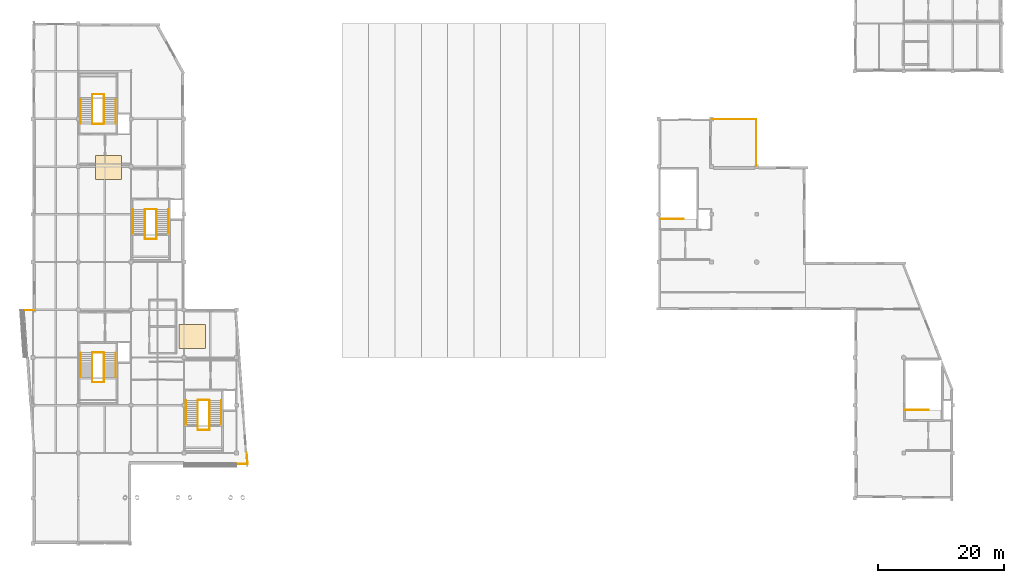
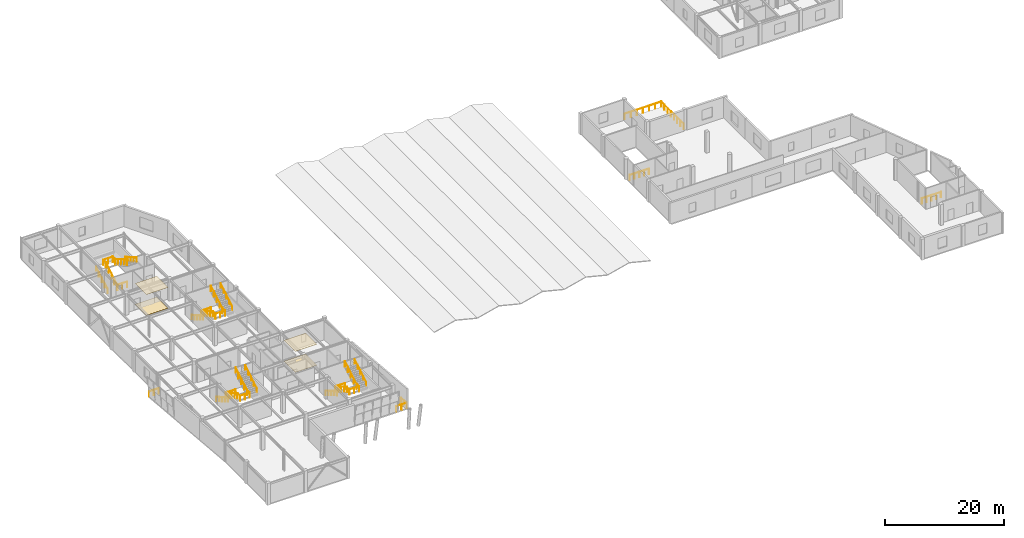
# One storey, part 27 of 28: 22 railings, 4 coverings.
"""IFC4 building model written with IfcOpenShell, lengths in metres."""

from ifc_helpers import new_model, si_unit, direction, frame, origin, origin_2d, place, context, subcontext, project, spatial, rectangle, circle, extrude, material, layer, layer_set, type_object, element, save


model = new_model("IFC4")

# Units and contexts
model_context = context("Model", 3, precision=1e-05, world=origin(), true_north=direction((0.0, 1.0)))
body_context = subcontext(model_context, "Body", "Model", "MODEL_VIEW")
ifc_project = project(units=[si_unit("LENGTHUNIT", "METRE"), si_unit("AREAUNIT", "SQUARE_METRE"), si_unit("VOLUMEUNIT", "CUBIC_METRE"), si_unit("PLANEANGLEUNIT", "RADIAN"), si_unit("MASSUNIT", "GRAM", prefix="KILO")], contexts=[model_context])

# Site, building, storey
site_placement = place(None, origin())
site = spatial("IfcSite", under=ifc_project, at=site_placement, CompositionType="ELEMENT")
building_placement = place(site_placement, origin())
building = spatial("IfcBuilding", under=site, at=building_placement, Name="Xicomal Pleat Aquarium", CompositionType="ELEMENT")
storey_placement = place(building_placement, frame((0.0, 0.0, 15.300048828125)))
storey = spatial("IfcBuildingStorey", under=building, at=storey_placement, Name="L04", CompositionType="ELEMENT", Elevation=15.300048828125)

# Coverings
ifc_material_1 = material(Name="Acoustic mineral-fibre suspended ceiling", Category="gypsum")
ifc_layer_1 = layer(ifc_material_1, 0.02490234375)
ifc_layer_set_1 = layer_set([ifc_layer_1], Name="Acoustic mineral-fibre suspended ceiling")
covering_type_1 = type_object("IfcCoveringType", Name="COV-CEIL-25", PredefinedType="CEILING", material=ifc_layer_set_1)
for number, where, z_axis, x_axis, name in (
    (1, (28.31005859375, 33.760009765625, 4.265380859375), (0.0, 0.0, 1.0), (1.0, 0.0, 0.0), "L04 acoustic ceiling 2"),
    (2, (15.0, 60.64990234375, 4.265380859375), (0.0, 0.0, 1.0), (1.0, 0.0, 0.0), "L04 acoustic ceiling 3"),
):
    element("IfcCovering", number, at=place(storey_placement, frame(where, z_axis=z_axis, x_axis=x_axis)), inside=storey, type_object=covering_type_1, Name=name, PredefinedType="CEILING", context=body_context, shape_type="SweptSolid", body=[
        extrude(rectangle(XDim=4.199951171875, YDim=3.800048828125, at=origin_2d()), origin(), (0.0, 0.0, 1.0), 0.02490234375),
    ])
ifc_material_2 = material(Name="Seamless marine terrazzo and epoxy flooring", Category="concrete")
ifc_layer_2 = layer(ifc_material_2, 0.02001953125)
ifc_layer_set_2 = layer_set([ifc_layer_2], Name="Seamless marine terrazzo and epoxy flooring")
covering_type_2 = type_object("IfcCoveringType", Name="COV-FLR-20", PredefinedType="FLOORING", material=ifc_layer_set_2)
for number, where, z_axis, x_axis, name in (
    (3, (28.31005859375, 33.760009765625, -0.0009765625), (0.0, 0.0, 1.0), (1.0, 0.0, 0.0), "L04 marine terrazzo flooring 2"),
    (4, (15.0, 60.64990234375, -0.0009765625), (0.0, 0.0, 1.0), (1.0, 0.0, 0.0), "L04 marine terrazzo flooring 3"),
):
    element("IfcCovering", number, at=place(storey_placement, frame(where, z_axis=z_axis, x_axis=x_axis)), inside=storey, type_object=covering_type_2, Name=name, PredefinedType="FLOORING", context=body_context, shape_type="SweptSolid", body=[
        extrude(rectangle(XDim=4.199951171875, YDim=3.800048828125, at=origin_2d()), origin(), (0.0, 0.0, 1.0), 0.02001953125),
    ])

# Railings
ifc_material_3 = material(Name="Stainless steel 316L and laminated safety glass", Category="steel")
railing_type_1 = type_object("IfcRailingType", Name="RAL-GRD-1120", PredefinedType="GUARDRAIL", material=ifc_material_3)
railing_1_placement = place(storey_placement, frame((118.139892578125, 68.340087890625, 0.0)))
element("IfcRailing", 5, at=railing_1_placement, inside=storey, type_object=railing_type_1, Name="L04 terrace perimeter guard 9", PredefinedType="GUARDRAIL", context=body_context, shape_type="SweptSolid", body=[
    extrude(circle(Radius=0.02392578125, at=origin_2d()), frame((0.0, 0.0, 1.09619140625), z_axis=(0.0, -1.0, 0.0), x_axis=(1.0, 0.0, 0.0)), (0.0, 0.0, 1.0), 7.47998046875),
    extrude(circle(Radius=0.02099609375, at=origin_2d()), origin(), (0.0, 0.0, 1.0), 1.072021484375),
    extrude(circle(Radius=0.02099609375, at=origin_2d()), frame((0.0, -1.068603515625, 0.0)), (0.0, 0.0, 1.0), 1.072021484375),
    extrude(circle(Radius=0.02099609375, at=origin_2d()), frame((0.0, -2.13720703125, 0.0)), (0.0, 0.0, 1.0), 1.072021484375),
    extrude(circle(Radius=0.02099609375, at=origin_2d()), frame((0.0, -3.205810546875, 0.0)), (0.0, 0.0, 1.0), 1.072021484375),
    extrude(circle(Radius=0.02099609375, at=origin_2d()), frame((0.0, -4.274169921875, 0.0)), (0.0, 0.0, 1.0), 1.072021484375),
    extrude(circle(Radius=0.02099609375, at=origin_2d()), frame((0.0, -5.3427734375, 0.0)), (0.0, 0.0, 1.0), 1.072021484375),
    extrude(circle(Radius=0.02099609375, at=origin_2d()), frame((0.0, -6.411376953125, 0.0)), (0.0, 0.0, 1.0), 1.072021484375),
    extrude(circle(Radius=0.02099609375, at=origin_2d()), frame((0.0, -7.47998046875, 0.0)), (0.0, 0.0, 1.0), 1.072021484375),
])
ifc_material_4 = material(Name="Stainless steel 316L and laminated safety glass", Category="steel")
railing_type_2 = type_object("IfcRailingType", Name="RAL-GRD-1150", PredefinedType="GUARDRAIL", material=ifc_material_4)
railing_2_placement = place(storey_placement, frame((111.06005859375, 68.340087890625, 0.0)))
element("IfcRailing", 6, at=railing_2_placement, inside=storey, type_object=railing_type_2, Name="L04 terrace perimeter guard 8", PredefinedType="GUARDRAIL", context=body_context, shape_type="SweptSolid", body=[
    extrude(circle(Radius=0.02392578125, at=origin_2d()), frame((0.0, 0.0, 1.1259765625), z_axis=(1.0, 0.0, 0.0), x_axis=(0.0, 1.0, 0.0)), (0.0, 0.0, 1.0), 7.079833984375),
    extrude(circle(Radius=0.02099609375, at=origin_2d()), origin(), (0.0, 0.0, 1.0), 1.101806640625),
    extrude(circle(Radius=0.02099609375, at=origin_2d()), frame((1.179931640625, 0.0, 0.0)), (0.0, 0.0, 1.0), 1.101806640625),
    extrude(circle(Radius=0.02099609375, at=origin_2d()), frame((2.35986328125, 0.0, 0.0)), (0.0, 0.0, 1.0), 1.101806640625),
    extrude(circle(Radius=0.02099609375, at=origin_2d()), frame((3.5400390625, 0.0, 0.0)), (0.0, 0.0, 1.0), 1.101806640625),
    extrude(circle(Radius=0.02099609375, at=origin_2d()), frame((4.719970703125, 0.0, 0.0)), (0.0, 0.0, 1.0), 1.101806640625),
    extrude(circle(Radius=0.02099609375, at=origin_2d()), frame((5.89990234375, 0.0, 0.0)), (0.0, 0.0, 1.0), 1.101806640625),
    extrude(circle(Radius=0.02099609375, at=origin_2d()), frame((7.079833984375, 0.0, 0.0)), (0.0, 0.0, 1.0), 1.101806640625),
])
railing_3_placement = place(storey_placement, frame((1.419921875, 37.919921875, 0.0)))
element("IfcRailing", 7, at=railing_3_placement, inside=storey, type_object=railing_type_2, Name="L04 slab setback perimeter guard GR-EDG-L04-01", PredefinedType="GUARDRAIL", context=body_context, shape_type="SweptSolid", body=[
    extrude(circle(Radius=0.02392578125, at=origin_2d()), frame((0.0, 0.0, 1.1259765625), z_axis=(1.0, 0.0, 0.0), x_axis=(0.0, 1.0, 0.0)), (0.0, 0.0, 1.0), 1.830078125),
    extrude(circle(Radius=0.02099609375, at=origin_2d()), origin(), (0.0, 0.0, 1.0), 1.101806640625),
    extrude(circle(Radius=0.02099609375, at=origin_2d()), frame((0.9150390625, 0.0, 0.0)), (0.0, 0.0, 1.0), 1.101806640625),
    extrude(circle(Radius=0.02099609375, at=origin_2d()), frame((1.830078125, 0.0, 0.0)), (0.0, 0.0, 1.0), 1.101806640625),
])
railing_4_placement = place(storey_placement, frame((35.10009765625, 13.4599609375, 0.0)))
element("IfcRailing", 8, at=railing_4_placement, inside=storey, type_object=railing_type_2, Name="L04 slab setback perimeter guard GR-EDG-L04-02", PredefinedType="GUARDRAIL", context=body_context, shape_type="SweptSolid", body=[
    extrude(circle(Radius=0.02392578125, at=origin_2d()), frame((0.0, 0.0, 1.1259765625), z_axis=(1.0, 0.0, 0.0), x_axis=(0.0, 1.0, 0.0)), (0.0, 0.0, 1.0), 2.039794921875),
    extrude(circle(Radius=0.02392578125, at=origin_2d()), frame((2.039794921875, 0.0, 1.1259765625), z_axis=(-0.068730030882, 0.997635295514, 0.0), x_axis=(-0.997635295514, -0.068730030882, 0.0)), (0.0, 0.0, 1.0), 1.744140625),
    extrude(circle(Radius=0.02099609375, at=origin_2d()), origin(), (0.0, 0.0, 1.0), 1.101806640625),
    extrude(circle(Radius=0.02099609375, at=origin_2d()), frame((1.02001953125, 0.0, 0.0)), (0.0, 0.0, 1.0), 1.101806640625),
    extrude(circle(Radius=0.02099609375, at=origin_2d()), frame((2.039794921875, 0.0, 0.0)), (0.0, 0.0, 1.0), 1.101806640625),
    extrude(circle(Radius=0.02099609375, at=origin_2d()), frame((1.97998046875, 0.8701171875, 0.0)), (0.0, 0.0, 1.0), 1.101806640625),
    extrude(circle(Radius=0.02099609375, at=origin_2d()), frame((1.919921875, 1.739990234375, 0.0)), (0.0, 0.0, 1.0), 1.101806640625),
])
ifc_material_5 = material(Name="Brushed stainless steel 316L", Category="steel")
railing_type_3 = type_object("IfcRailingType", Name="RAL-HR-900", PredefinedType="HANDRAIL", material=ifc_material_5)
railing_5_placement = place(storey_placement, frame((10.52001953125, 31.179931640625, 0.0)))
element("IfcRailing", 9, at=railing_5_placement, inside=storey, type_object=railing_type_3, Name="ST-01-L04 flight 1 handrail", PredefinedType="HANDRAIL", context=body_context, shape_type="SweptSolid", body=[
    extrude(circle(Radius=0.02392578125, at=origin_2d()), frame((0.0, 0.0, 0.8759765625), z_axis=(0.0, -0.86416876981, 0.503202083943), x_axis=(1.0, 0.0, 0.0)), (0.0, 0.0, 1.0), 4.471435546875),
    extrude(circle(Radius=0.02099609375, at=origin_2d()), origin(), (0.0, 0.0, 1.0), 0.851806640625),
    extrude(circle(Radius=0.02099609375, at=origin_2d()), frame((0.0, -0.966064453125, 0.5625)), (0.0, 0.0, 1.0), 0.851806640625),
    extrude(circle(Radius=0.02099609375, at=origin_2d()), frame((0.0, -1.93212890625, 1.125)), (0.0, 0.0, 1.0), 0.851806640625),
    extrude(circle(Radius=0.02099609375, at=origin_2d()), frame((0.0, -2.89794921875, 1.6875)), (0.0, 0.0, 1.0), 0.851806640625),
    extrude(circle(Radius=0.02099609375, at=origin_2d()), frame((0.0, -3.864013671875, 2.25)), (0.0, 0.0, 1.0), 0.851806640625),
])
railing_6_placement = place(storey_placement, frame((16.139892578125, 27.31591796875, 2.25)))
element("IfcRailing", 10, at=railing_6_placement, inside=storey, type_object=railing_type_3, Name="ST-01-L04 flight 2 handrail", PredefinedType="HANDRAIL", context=body_context, shape_type="SweptSolid", body=[
    extrude(circle(Radius=0.02392578125, at=origin_2d()), frame((0.0, 0.0, 0.8759765625), z_axis=(0.0, 0.86416876981, 0.503202083943), x_axis=(-1.0, 0.0, 0.0)), (0.0, 0.0, 1.0), 4.471435546875),
    extrude(circle(Radius=0.02099609375, at=origin_2d()), origin(), (0.0, 0.0, 1.0), 0.851806640625),
    extrude(circle(Radius=0.02099609375, at=origin_2d()), frame((0.0, 0.966064453125, 0.5625)), (0.0, 0.0, 1.0), 0.851806640625),
    extrude(circle(Radius=0.02099609375, at=origin_2d()), frame((0.0, 1.93212890625, 1.125)), (0.0, 0.0, 1.0), 0.851806640625),
    extrude(circle(Radius=0.02099609375, at=origin_2d()), frame((0.0, 2.89794921875, 1.6875)), (0.0, 0.0, 1.0), 0.851806640625),
    extrude(circle(Radius=0.02099609375, at=origin_2d()), frame((0.0, 3.864013671875, 2.25)), (0.0, 0.0, 1.0), 0.851806640625),
])
railing_7_placement = place(storey_placement, frame((27.320068359375, 23.580078125, 0.0)))
element("IfcRailing", 11, at=railing_7_placement, inside=storey, type_object=railing_type_3, Name="ST-02-L04 flight 1 handrail", PredefinedType="HANDRAIL", context=body_context, shape_type="SweptSolid", body=[
    extrude(circle(Radius=0.02392578125, at=origin_2d()), frame((0.0, 0.0, 0.8759765625), z_axis=(0.0, -0.86416876981, 0.503202083943), x_axis=(1.0, 0.0, 0.0)), (0.0, 0.0, 1.0), 4.471435546875),
    extrude(circle(Radius=0.02099609375, at=origin_2d()), origin(), (0.0, 0.0, 1.0), 0.851806640625),
    extrude(circle(Radius=0.02099609375, at=origin_2d()), frame((0.0, -0.966064453125, 0.5625)), (0.0, 0.0, 1.0), 0.851806640625),
    extrude(circle(Radius=0.02099609375, at=origin_2d()), frame((0.0, -1.93212890625, 1.125)), (0.0, 0.0, 1.0), 0.851806640625),
    extrude(circle(Radius=0.02099609375, at=origin_2d()), frame((0.0, -2.89794921875, 1.6875)), (0.0, 0.0, 1.0), 0.851806640625),
    extrude(circle(Radius=0.02099609375, at=origin_2d()), frame((0.0, -3.864013671875, 2.25)), (0.0, 0.0, 1.0), 0.851806640625),
])
railing_8_placement = place(storey_placement, frame((32.93994140625, 19.716064453125, 2.25)))
element("IfcRailing", 12, at=railing_8_placement, inside=storey, type_object=railing_type_3, Name="ST-02-L04 flight 2 handrail", PredefinedType="HANDRAIL", context=body_context, shape_type="SweptSolid", body=[
    extrude(circle(Radius=0.02392578125, at=origin_2d()), frame((0.0, 0.0, 0.8759765625), z_axis=(0.0, 0.86416876981, 0.503202083943), x_axis=(-1.0, 0.0, 0.0)), (0.0, 0.0, 1.0), 4.471435546875),
    extrude(circle(Radius=0.02099609375, at=origin_2d()), origin(), (0.0, 0.0, 1.0), 0.851806640625),
    extrude(circle(Radius=0.02099609375, at=origin_2d()), frame((0.0, 0.966064453125, 0.5625)), (0.0, 0.0, 1.0), 0.851806640625),
    extrude(circle(Radius=0.02099609375, at=origin_2d()), frame((0.0, 1.93212890625, 1.125)), (0.0, 0.0, 1.0), 0.851806640625),
    extrude(circle(Radius=0.02099609375, at=origin_2d()), frame((0.0, 2.89794921875, 1.6875)), (0.0, 0.0, 1.0), 0.851806640625),
    extrude(circle(Radius=0.02099609375, at=origin_2d()), frame((0.0, 3.864013671875, 2.25)), (0.0, 0.0, 1.0), 0.851806640625),
])
railing_9_placement = place(storey_placement, frame((10.52001953125, 67.6201171875, 0.0)))
element("IfcRailing", 13, at=railing_9_placement, inside=storey, type_object=railing_type_3, Name="ST-03-L04 flight 1 handrail", PredefinedType="HANDRAIL", context=body_context, shape_type="SweptSolid", body=[
    extrude(circle(Radius=0.02392578125, at=origin_2d()), frame((0.0, 0.0, 0.8759765625), z_axis=(0.0, 0.864154943205, 0.503225828167), x_axis=(-1.0, 0.0, 0.0)), (0.0, 0.0, 1.0), 4.47119140625),
    extrude(circle(Radius=0.02099609375, at=origin_2d()), origin(), (0.0, 0.0, 1.0), 0.851806640625),
    extrude(circle(Radius=0.02099609375, at=origin_2d()), frame((0.0, 0.9658203125, 0.5625)), (0.0, 0.0, 1.0), 0.851806640625),
    extrude(circle(Radius=0.02099609375, at=origin_2d()), frame((0.0, 1.931884765625, 1.125)), (0.0, 0.0, 1.0), 0.851806640625),
    extrude(circle(Radius=0.02099609375, at=origin_2d()), frame((0.0, 2.89794921875, 1.6875)), (0.0, 0.0, 1.0), 0.851806640625),
    extrude(circle(Radius=0.02099609375, at=origin_2d()), frame((0.0, 3.86376953125, 2.25)), (0.0, 0.0, 1.0), 0.851806640625),
])
railing_10_placement = place(storey_placement, frame((16.139892578125, 71.48388671875, 2.25)))
element("IfcRailing", 14, at=railing_10_placement, inside=storey, type_object=railing_type_3, Name="ST-03-L04 flight 2 handrail", PredefinedType="HANDRAIL", context=body_context, shape_type="SweptSolid", body=[
    extrude(circle(Radius=0.02392578125, at=origin_2d()), frame((0.0, 0.0, 0.8759765625), z_axis=(0.0, -0.864154943205, 0.503225828167), x_axis=(1.0, 0.0, 0.0)), (0.0, 0.0, 1.0), 4.47119140625),
    extrude(circle(Radius=0.02099609375, at=origin_2d()), origin(), (0.0, 0.0, 1.0), 0.851806640625),
    extrude(circle(Radius=0.02099609375, at=origin_2d()), frame((0.0, -0.9658203125, 0.5625)), (0.0, 0.0, 1.0), 0.851806640625),
    extrude(circle(Radius=0.02099609375, at=origin_2d()), frame((0.0, -1.931884765625, 1.125)), (0.0, 0.0, 1.0), 0.851806640625),
    extrude(circle(Radius=0.02099609375, at=origin_2d()), frame((0.0, -2.89794921875, 1.6875)), (0.0, 0.0, 1.0), 0.851806640625),
    extrude(circle(Radius=0.02099609375, at=origin_2d()), frame((0.0, -3.86376953125, 2.25)), (0.0, 0.0, 1.0), 0.851806640625),
])
railing_11_placement = place(storey_placement, frame((18.919921875, 53.97998046875, 0.0)))
element("IfcRailing", 15, at=railing_11_placement, inside=storey, type_object=railing_type_3, Name="ST-04-L04 flight 1 handrail", PredefinedType="HANDRAIL", context=body_context, shape_type="SweptSolid", body=[
    extrude(circle(Radius=0.02392578125, at=origin_2d()), frame((0.0, 0.0, 0.8759765625), z_axis=(0.0, -0.86416876981, 0.503202083943), x_axis=(1.0, 0.0, 0.0)), (0.0, 0.0, 1.0), 4.471435546875),
    extrude(circle(Radius=0.02099609375, at=origin_2d()), origin(), (0.0, 0.0, 1.0), 0.851806640625),
    extrude(circle(Radius=0.02099609375, at=origin_2d()), frame((0.0, -0.966064453125, 0.5625)), (0.0, 0.0, 1.0), 0.851806640625),
    extrude(circle(Radius=0.02099609375, at=origin_2d()), frame((0.0, -1.93212890625, 1.125)), (0.0, 0.0, 1.0), 0.851806640625),
    extrude(circle(Radius=0.02099609375, at=origin_2d()), frame((0.0, -2.89794921875, 1.6875)), (0.0, 0.0, 1.0), 0.851806640625),
    extrude(circle(Radius=0.02099609375, at=origin_2d()), frame((0.0, -3.864013671875, 2.25)), (0.0, 0.0, 1.0), 0.851806640625),
])
railing_12_placement = place(storey_placement, frame((24.5400390625, 50.115966796875, 2.25)))
element("IfcRailing", 16, at=railing_12_placement, inside=storey, type_object=railing_type_3, Name="ST-04-L04 flight 2 handrail", PredefinedType="HANDRAIL", context=body_context, shape_type="SweptSolid", body=[
    extrude(circle(Radius=0.02392578125, at=origin_2d()), frame((0.0, 0.0, 0.8759765625), z_axis=(0.0, 0.86416876981, 0.503202083943), x_axis=(-1.0, 0.0, 0.0)), (0.0, 0.0, 1.0), 4.471435546875),
    extrude(circle(Radius=0.02099609375, at=origin_2d()), origin(), (0.0, 0.0, 1.0), 0.851806640625),
    extrude(circle(Radius=0.02099609375, at=origin_2d()), frame((0.0, 0.966064453125, 0.5625)), (0.0, 0.0, 1.0), 0.851806640625),
    extrude(circle(Radius=0.02099609375, at=origin_2d()), frame((0.0, 1.93212890625, 1.125)), (0.0, 0.0, 1.0), 0.851806640625),
    extrude(circle(Radius=0.02099609375, at=origin_2d()), frame((0.0, 2.89794921875, 1.6875)), (0.0, 0.0, 1.0), 0.851806640625),
    extrude(circle(Radius=0.02099609375, at=origin_2d()), frame((0.0, 3.864013671875, 2.25)), (0.0, 0.0, 1.0), 0.851806640625),
])
ifc_material_6 = material(Name="Brushed stainless steel 316L", Category="steel")
railing_type_4 = type_object("IfcRailingType", Name="RAL-STG-1120", PredefinedType="GUARDRAIL", material=ifc_material_6)
railing_13_placement = place(storey_placement, frame((12.39990234375, 31.179931640625, 0.0)))
element("IfcRailing", 17, at=railing_13_placement, inside=storey, type_object=railing_type_4, Name="ST-01-L04 inner well guard", PredefinedType="GUARDRAIL", context=body_context, shape_type="SweptSolid", body=[
    extrude(circle(Radius=0.02392578125, at=origin_2d()), frame((0.0, 0.0, 1.09619140625), z_axis=(0.0, -0.86416876981, 0.503202083943), x_axis=(1.0, 0.0, 0.0)), (0.0, 0.0, 1.0), 4.471435546875),
    extrude(circle(Radius=0.02392578125, at=origin_2d()), frame((0.0, -3.864013671875, 3.34619140625), z_axis=(0.0, -1.0, 0.0), x_axis=(1.0, 0.0, 0.0)), (0.0, 0.0, 1.0), 0.849853515625),
    extrude(circle(Radius=0.02392578125, at=origin_2d()), frame((0.0, -4.7138671875, 3.34619140625), z_axis=(1.0, 0.0, 0.0), x_axis=(0.0, 1.0, 0.0)), (0.0, 0.0, 1.0), 1.860107421875),
    extrude(circle(Radius=0.02392578125, at=origin_2d()), frame((1.860107421875, -4.7138671875, 3.34619140625), z_axis=(0.0, 1.0, 0.0), x_axis=(-1.0, 0.0, 0.0)), (0.0, 0.0, 1.0), 0.849853515625),
    extrude(circle(Radius=0.02392578125, at=origin_2d()), frame((1.860107421875, -3.864013671875, 3.34619140625), z_axis=(0.0, 0.86416876981, 0.503202083943), x_axis=(-1.0, 0.0, 0.0)), (0.0, 0.0, 1.0), 4.471435546875),
    extrude(circle(Radius=0.02099609375, at=origin_2d()), origin(), (0.0, 0.0, 1.0), 1.072021484375),
    extrude(circle(Radius=0.02099609375, at=origin_2d()), frame((0.0, -0.966064453125, 0.5625)), (0.0, 0.0, 1.0), 1.072021484375),
    extrude(circle(Radius=0.02099609375, at=origin_2d()), frame((0.0, -1.93212890625, 1.125)), (0.0, 0.0, 1.0), 1.072021484375),
    extrude(circle(Radius=0.02099609375, at=origin_2d()), frame((0.0, -2.89794921875, 1.6875)), (0.0, 0.0, 1.0), 1.072021484375),
    extrude(circle(Radius=0.02099609375, at=origin_2d()), frame((0.0, -3.864013671875, 2.25)), (0.0, 0.0, 1.0), 1.072021484375),
    extrude(circle(Radius=0.02099609375, at=origin_2d()), frame((0.0, -4.7138671875, 2.25)), (0.0, 0.0, 1.0), 1.072021484375),
    extrude(circle(Radius=0.02099609375, at=origin_2d()), frame((0.93017578125, -4.7138671875, 2.25)), (0.0, 0.0, 1.0), 1.072021484375),
    extrude(circle(Radius=0.02099609375, at=origin_2d()), frame((1.860107421875, -4.7138671875, 2.25)), (0.0, 0.0, 1.0), 1.072021484375),
    extrude(circle(Radius=0.02099609375, at=origin_2d()), frame((1.860107421875, -3.864013671875, 2.25)), (0.0, 0.0, 1.0), 1.072021484375),
    extrude(circle(Radius=0.02099609375, at=origin_2d()), frame((1.860107421875, -2.89794921875, 2.8125)), (0.0, 0.0, 1.0), 1.072021484375),
    extrude(circle(Radius=0.02099609375, at=origin_2d()), frame((1.860107421875, -1.93212890625, 3.375)), (0.0, 0.0, 1.0), 1.072021484375),
    extrude(circle(Radius=0.02099609375, at=origin_2d()), frame((1.860107421875, -0.966064453125, 3.9375)), (0.0, 0.0, 1.0), 1.072021484375),
    extrude(circle(Radius=0.02099609375, at=origin_2d()), frame((1.860107421875, 0.0, 4.5)), (0.0, 0.0, 1.0), 1.072021484375),
])
railing_14_placement = place(storey_placement, frame((12.39990234375, 31.219970703125, 0.0)))
element("IfcRailing", 18, at=railing_14_placement, inside=storey, type_object=railing_type_4, Name="ST-01-L04 floor landing slot guard", PredefinedType="GUARDRAIL", context=body_context, shape_type="SweptSolid", body=[
    extrude(circle(Radius=0.02392578125, at=origin_2d()), frame((0.0, 0.0, 1.09619140625), z_axis=(1.0, 0.0, 0.0), x_axis=(0.0, 1.0, 0.0)), (0.0, 0.0, 1.0), 1.860107421875),
    extrude(circle(Radius=0.02099609375, at=origin_2d()), origin(), (0.0, 0.0, 1.0), 1.072021484375),
    extrude(circle(Radius=0.02099609375, at=origin_2d()), frame((0.93017578125, 0.0, 0.0)), (0.0, 0.0, 1.0), 1.072021484375),
    extrude(circle(Radius=0.02099609375, at=origin_2d()), frame((1.860107421875, 0.0, 0.0)), (0.0, 0.0, 1.0), 1.072021484375),
])
railing_15_placement = place(storey_placement, frame((29.199951171875, 23.580078125, 0.0)))
element("IfcRailing", 19, at=railing_15_placement, inside=storey, type_object=railing_type_4, Name="ST-02-L04 inner well guard", PredefinedType="GUARDRAIL", context=body_context, shape_type="SweptSolid", body=[
    extrude(circle(Radius=0.02392578125, at=origin_2d()), frame((0.0, 0.0, 1.09619140625), z_axis=(0.0, -0.86416876981, 0.503202083943), x_axis=(1.0, 0.0, 0.0)), (0.0, 0.0, 1.0), 4.471435546875),
    extrude(circle(Radius=0.02392578125, at=origin_2d()), frame((0.0, -3.864013671875, 3.34619140625), z_axis=(0.0, -1.0, 0.0), x_axis=(1.0, 0.0, 0.0)), (0.0, 0.0, 1.0), 0.85009765625),
    extrude(circle(Radius=0.02392578125, at=origin_2d()), frame((0.0, -4.714111328125, 3.34619140625), z_axis=(1.0, 0.0, 0.0), x_axis=(0.0, 1.0, 0.0)), (0.0, 0.0, 1.0), 1.860107421875),
    extrude(circle(Radius=0.02392578125, at=origin_2d()), frame((1.860107421875, -4.714111328125, 3.34619140625), z_axis=(0.0, 1.0, 0.0), x_axis=(-1.0, 0.0, 0.0)), (0.0, 0.0, 1.0), 0.85009765625),
    extrude(circle(Radius=0.02392578125, at=origin_2d()), frame((1.860107421875, -3.864013671875, 3.34619140625), z_axis=(0.0, 0.86416876981, 0.503202083943), x_axis=(-1.0, 0.0, 0.0)), (0.0, 0.0, 1.0), 4.471435546875),
    extrude(circle(Radius=0.02099609375, at=origin_2d()), origin(), (0.0, 0.0, 1.0), 1.072021484375),
    extrude(circle(Radius=0.02099609375, at=origin_2d()), frame((0.0, -0.966064453125, 0.5625)), (0.0, 0.0, 1.0), 1.072021484375),
    extrude(circle(Radius=0.02099609375, at=origin_2d()), frame((0.0, -1.93212890625, 1.125)), (0.0, 0.0, 1.0), 1.072021484375),
    extrude(circle(Radius=0.02099609375, at=origin_2d()), frame((0.0, -2.89794921875, 1.6875)), (0.0, 0.0, 1.0), 1.072021484375),
    extrude(circle(Radius=0.02099609375, at=origin_2d()), frame((0.0, -3.864013671875, 2.25)), (0.0, 0.0, 1.0), 1.072021484375),
    extrude(circle(Radius=0.02099609375, at=origin_2d()), frame((0.0, -4.714111328125, 2.25)), (0.0, 0.0, 1.0), 1.072021484375),
    extrude(circle(Radius=0.02099609375, at=origin_2d()), frame((0.93017578125, -4.714111328125, 2.25)), (0.0, 0.0, 1.0), 1.072021484375),
    extrude(circle(Radius=0.02099609375, at=origin_2d()), frame((1.860107421875, -4.714111328125, 2.25)), (0.0, 0.0, 1.0), 1.072021484375),
    extrude(circle(Radius=0.02099609375, at=origin_2d()), frame((1.860107421875, -3.864013671875, 2.25)), (0.0, 0.0, 1.0), 1.072021484375),
    extrude(circle(Radius=0.02099609375, at=origin_2d()), frame((1.860107421875, -2.89794921875, 2.8125)), (0.0, 0.0, 1.0), 1.072021484375),
    extrude(circle(Radius=0.02099609375, at=origin_2d()), frame((1.860107421875, -1.93212890625, 3.375)), (0.0, 0.0, 1.0), 1.072021484375),
    extrude(circle(Radius=0.02099609375, at=origin_2d()), frame((1.860107421875, -0.966064453125, 3.9375)), (0.0, 0.0, 1.0), 1.072021484375),
    extrude(circle(Radius=0.02099609375, at=origin_2d()), frame((1.860107421875, 0.0, 4.5)), (0.0, 0.0, 1.0), 1.072021484375),
])
railing_16_placement = place(storey_placement, frame((29.199951171875, 23.6201171875, 0.0)))
element("IfcRailing", 20, at=railing_16_placement, inside=storey, type_object=railing_type_4, Name="ST-02-L04 floor landing slot guard", PredefinedType="GUARDRAIL", context=body_context, shape_type="SweptSolid", body=[
    extrude(circle(Radius=0.02392578125, at=origin_2d()), frame((0.0, 0.0, 1.09619140625), z_axis=(1.0, 0.0, 0.0), x_axis=(0.0, 1.0, 0.0)), (0.0, 0.0, 1.0), 1.860107421875),
    extrude(circle(Radius=0.02099609375, at=origin_2d()), origin(), (0.0, 0.0, 1.0), 1.072021484375),
    extrude(circle(Radius=0.02099609375, at=origin_2d()), frame((0.93017578125, 0.0, 0.0)), (0.0, 0.0, 1.0), 1.072021484375),
    extrude(circle(Radius=0.02099609375, at=origin_2d()), frame((1.860107421875, 0.0, 0.0)), (0.0, 0.0, 1.0), 1.072021484375),
])
railing_17_placement = place(storey_placement, frame((12.39990234375, 67.6201171875, 0.0)))
element("IfcRailing", 21, at=railing_17_placement, inside=storey, type_object=railing_type_4, Name="ST-03-L04 inner well guard", PredefinedType="GUARDRAIL", context=body_context, shape_type="SweptSolid", body=[
    extrude(circle(Radius=0.02392578125, at=origin_2d()), frame((0.0, 0.0, 1.09619140625), z_axis=(0.0, 0.864154943205, 0.503225828167), x_axis=(-1.0, 0.0, 0.0)), (0.0, 0.0, 1.0), 4.47119140625),
    extrude(circle(Radius=0.02392578125, at=origin_2d()), frame((0.0, 3.86376953125, 3.34619140625), z_axis=(0.0, 1.0, 0.0), x_axis=(-1.0, 0.0, 0.0)), (0.0, 0.0, 1.0), 0.85009765625),
    extrude(circle(Radius=0.02392578125, at=origin_2d()), frame((0.0, 4.7138671875, 3.34619140625), z_axis=(1.0, 0.0, 0.0), x_axis=(0.0, 1.0, 0.0)), (0.0, 0.0, 1.0), 1.860107421875),
    extrude(circle(Radius=0.02392578125, at=origin_2d()), frame((1.860107421875, 4.7138671875, 3.34619140625), z_axis=(0.0, -1.0, 0.0), x_axis=(1.0, 0.0, 0.0)), (0.0, 0.0, 1.0), 0.85009765625),
    extrude(circle(Radius=0.02392578125, at=origin_2d()), frame((1.860107421875, 3.86376953125, 3.34619140625), z_axis=(0.0, -0.864154943205, 0.503225828167), x_axis=(1.0, 0.0, 0.0)), (0.0, 0.0, 1.0), 4.47119140625),
    extrude(circle(Radius=0.02099609375, at=origin_2d()), origin(), (0.0, 0.0, 1.0), 1.072021484375),
    extrude(circle(Radius=0.02099609375, at=origin_2d()), frame((0.0, 0.9658203125, 0.5625)), (0.0, 0.0, 1.0), 1.072021484375),
    extrude(circle(Radius=0.02099609375, at=origin_2d()), frame((0.0, 1.931884765625, 1.125)), (0.0, 0.0, 1.0), 1.072021484375),
    extrude(circle(Radius=0.02099609375, at=origin_2d()), frame((0.0, 2.89794921875, 1.6875)), (0.0, 0.0, 1.0), 1.072021484375),
    extrude(circle(Radius=0.02099609375, at=origin_2d()), frame((0.0, 3.86376953125, 2.25)), (0.0, 0.0, 1.0), 1.072021484375),
    extrude(circle(Radius=0.02099609375, at=origin_2d()), frame((0.0, 4.7138671875, 2.25)), (0.0, 0.0, 1.0), 1.072021484375),
    extrude(circle(Radius=0.02099609375, at=origin_2d()), frame((0.93017578125, 4.7138671875, 2.25)), (0.0, 0.0, 1.0), 1.072021484375),
    extrude(circle(Radius=0.02099609375, at=origin_2d()), frame((1.860107421875, 4.7138671875, 2.25)), (0.0, 0.0, 1.0), 1.072021484375),
    extrude(circle(Radius=0.02099609375, at=origin_2d()), frame((1.860107421875, 3.86376953125, 2.25)), (0.0, 0.0, 1.0), 1.072021484375),
    extrude(circle(Radius=0.02099609375, at=origin_2d()), frame((1.860107421875, 2.89794921875, 2.8125)), (0.0, 0.0, 1.0), 1.072021484375),
    extrude(circle(Radius=0.02099609375, at=origin_2d()), frame((1.860107421875, 1.931884765625, 3.375)), (0.0, 0.0, 1.0), 1.072021484375),
    extrude(circle(Radius=0.02099609375, at=origin_2d()), frame((1.860107421875, 0.9658203125, 3.9375)), (0.0, 0.0, 1.0), 1.072021484375),
    extrude(circle(Radius=0.02099609375, at=origin_2d()), frame((1.860107421875, 0.0, 4.5)), (0.0, 0.0, 1.0), 1.072021484375),
])
railing_18_placement = place(storey_placement, frame((12.39990234375, 67.580078125, 0.0)))
element("IfcRailing", 22, at=railing_18_placement, inside=storey, type_object=railing_type_4, Name="ST-03-L04 floor landing slot guard", PredefinedType="GUARDRAIL", context=body_context, shape_type="SweptSolid", body=[
    extrude(circle(Radius=0.02392578125, at=origin_2d()), frame((0.0, 0.0, 1.09619140625), z_axis=(1.0, 0.0, 0.0), x_axis=(0.0, 1.0, 0.0)), (0.0, 0.0, 1.0), 1.860107421875),
    extrude(circle(Radius=0.02099609375, at=origin_2d()), origin(), (0.0, 0.0, 1.0), 1.072021484375),
    extrude(circle(Radius=0.02099609375, at=origin_2d()), frame((0.93017578125, 0.0, 0.0)), (0.0, 0.0, 1.0), 1.072021484375),
    extrude(circle(Radius=0.02099609375, at=origin_2d()), frame((1.860107421875, 0.0, 0.0)), (0.0, 0.0, 1.0), 1.072021484375),
])
railing_19_placement = place(storey_placement, frame((20.800048828125, 53.97998046875, 0.0)))
element("IfcRailing", 23, at=railing_19_placement, inside=storey, type_object=railing_type_4, Name="ST-04-L04 inner well guard", PredefinedType="GUARDRAIL", context=body_context, shape_type="SweptSolid", body=[
    extrude(circle(Radius=0.02392578125, at=origin_2d()), frame((0.0, 0.0, 1.09619140625), z_axis=(0.0, -0.86416876981, 0.503202083943), x_axis=(1.0, 0.0, 0.0)), (0.0, 0.0, 1.0), 4.471435546875),
    extrude(circle(Radius=0.02392578125, at=origin_2d()), frame((0.0, -3.864013671875, 3.34619140625), z_axis=(0.0, -1.0, 0.0), x_axis=(1.0, 0.0, 0.0)), (0.0, 0.0, 1.0), 0.849853515625),
    extrude(circle(Radius=0.02392578125, at=origin_2d()), frame((0.0, -4.7138671875, 3.34619140625), z_axis=(1.0, 0.0, 0.0), x_axis=(0.0, 1.0, 0.0)), (0.0, 0.0, 1.0), 1.85986328125),
    extrude(circle(Radius=0.02392578125, at=origin_2d()), frame((1.85986328125, -4.7138671875, 3.34619140625), z_axis=(0.0, 1.0, 0.0), x_axis=(-1.0, 0.0, 0.0)), (0.0, 0.0, 1.0), 0.849853515625),
    extrude(circle(Radius=0.02392578125, at=origin_2d()), frame((1.85986328125, -3.864013671875, 3.34619140625), z_axis=(0.0, 0.86416876981, 0.503202083943), x_axis=(-1.0, 0.0, 0.0)), (0.0, 0.0, 1.0), 4.471435546875),
    extrude(circle(Radius=0.02099609375, at=origin_2d()), origin(), (0.0, 0.0, 1.0), 1.072021484375),
    extrude(circle(Radius=0.02099609375, at=origin_2d()), frame((0.0, -0.966064453125, 0.5625)), (0.0, 0.0, 1.0), 1.072021484375),
    extrude(circle(Radius=0.02099609375, at=origin_2d()), frame((0.0, -1.93212890625, 1.125)), (0.0, 0.0, 1.0), 1.072021484375),
    extrude(circle(Radius=0.02099609375, at=origin_2d()), frame((0.0, -2.89794921875, 1.6875)), (0.0, 0.0, 1.0), 1.072021484375),
    extrude(circle(Radius=0.02099609375, at=origin_2d()), frame((0.0, -3.864013671875, 2.25)), (0.0, 0.0, 1.0), 1.072021484375),
    extrude(circle(Radius=0.02099609375, at=origin_2d()), frame((0.0, -4.7138671875, 2.25)), (0.0, 0.0, 1.0), 1.072021484375),
    extrude(circle(Radius=0.02099609375, at=origin_2d()), frame((0.929931640625, -4.7138671875, 2.25)), (0.0, 0.0, 1.0), 1.072021484375),
    extrude(circle(Radius=0.02099609375, at=origin_2d()), frame((1.85986328125, -4.7138671875, 2.25)), (0.0, 0.0, 1.0), 1.072021484375),
    extrude(circle(Radius=0.02099609375, at=origin_2d()), frame((1.85986328125, -3.864013671875, 2.25)), (0.0, 0.0, 1.0), 1.072021484375),
    extrude(circle(Radius=0.02099609375, at=origin_2d()), frame((1.85986328125, -2.89794921875, 2.8125)), (0.0, 0.0, 1.0), 1.072021484375),
    extrude(circle(Radius=0.02099609375, at=origin_2d()), frame((1.85986328125, -1.93212890625, 3.375)), (0.0, 0.0, 1.0), 1.072021484375),
    extrude(circle(Radius=0.02099609375, at=origin_2d()), frame((1.85986328125, -0.966064453125, 3.9375)), (0.0, 0.0, 1.0), 1.072021484375),
    extrude(circle(Radius=0.02099609375, at=origin_2d()), frame((1.85986328125, 0.0, 4.5)), (0.0, 0.0, 1.0), 1.072021484375),
])
railing_20_placement = place(storey_placement, frame((20.800048828125, 54.02001953125, 0.0)))
element("IfcRailing", 24, at=railing_20_placement, inside=storey, type_object=railing_type_4, Name="ST-04-L04 floor landing slot guard", PredefinedType="GUARDRAIL", context=body_context, shape_type="SweptSolid", body=[
    extrude(circle(Radius=0.02392578125, at=origin_2d()), frame((0.0, 0.0, 1.09619140625), z_axis=(1.0, 0.0, 0.0), x_axis=(0.0, 1.0, 0.0)), (0.0, 0.0, 1.0), 1.85986328125),
    extrude(circle(Radius=0.02099609375, at=origin_2d()), origin(), (0.0, 0.0, 1.0), 1.072021484375),
    extrude(circle(Radius=0.02099609375, at=origin_2d()), frame((0.929931640625, 0.0, 0.0)), (0.0, 0.0, 1.0), 1.072021484375),
    extrude(circle(Radius=0.02099609375, at=origin_2d()), frame((1.85986328125, 0.0, 0.0)), (0.0, 0.0, 1.0), 1.072021484375),
])
for number, where, name in (
    (25, (102.840087890625, 52.43994140625, 0.0), "ST-07 top landing well guard"),
    (26, (141.840087890625, 22.0400390625, 0.0), "ST-08 top landing well guard"),
):
    element("IfcRailing", number, at=place(storey_placement, frame(where)), inside=storey, type_object=railing_type_4, Name=name, PredefinedType="GUARDRAIL", context=body_context, shape_type="SweptSolid", body=[
        extrude(circle(Radius=0.02392578125, at=origin_2d()), frame((0.0, 0.0, 1.09619140625), z_axis=(1.0, 0.0, 0.0), x_axis=(0.0, 1.0, 0.0)), (0.0, 0.0, 1.0), 3.719970703125),
        extrude(circle(Radius=0.02099609375, at=origin_2d()), origin(), (0.0, 0.0, 1.0), 1.072021484375),
        extrude(circle(Radius=0.02099609375, at=origin_2d()), frame((0.929931640625, 0.0, 0.0)), (0.0, 0.0, 1.0), 1.072021484375),
        extrude(circle(Radius=0.02099609375, at=origin_2d()), frame((1.85986328125, 0.0, 0.0)), (0.0, 0.0, 1.0), 1.072021484375),
        extrude(circle(Radius=0.02099609375, at=origin_2d()), frame((2.7900390625, 0.0, 0.0)), (0.0, 0.0, 1.0), 1.072021484375),
        extrude(circle(Radius=0.02099609375, at=origin_2d()), frame((3.719970703125, 0.0, 0.0)), (0.0, 0.0, 1.0), 1.072021484375),
    ])

save(model, "model.ifc")
